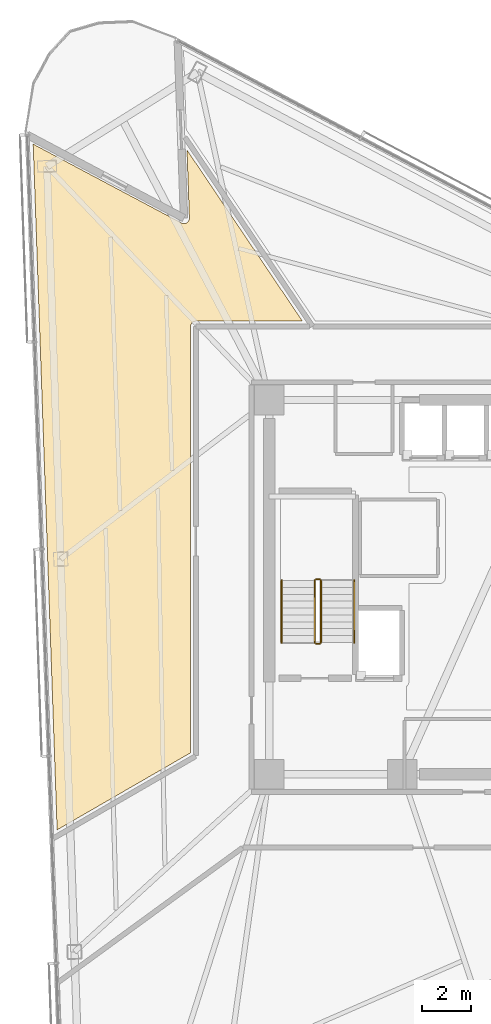
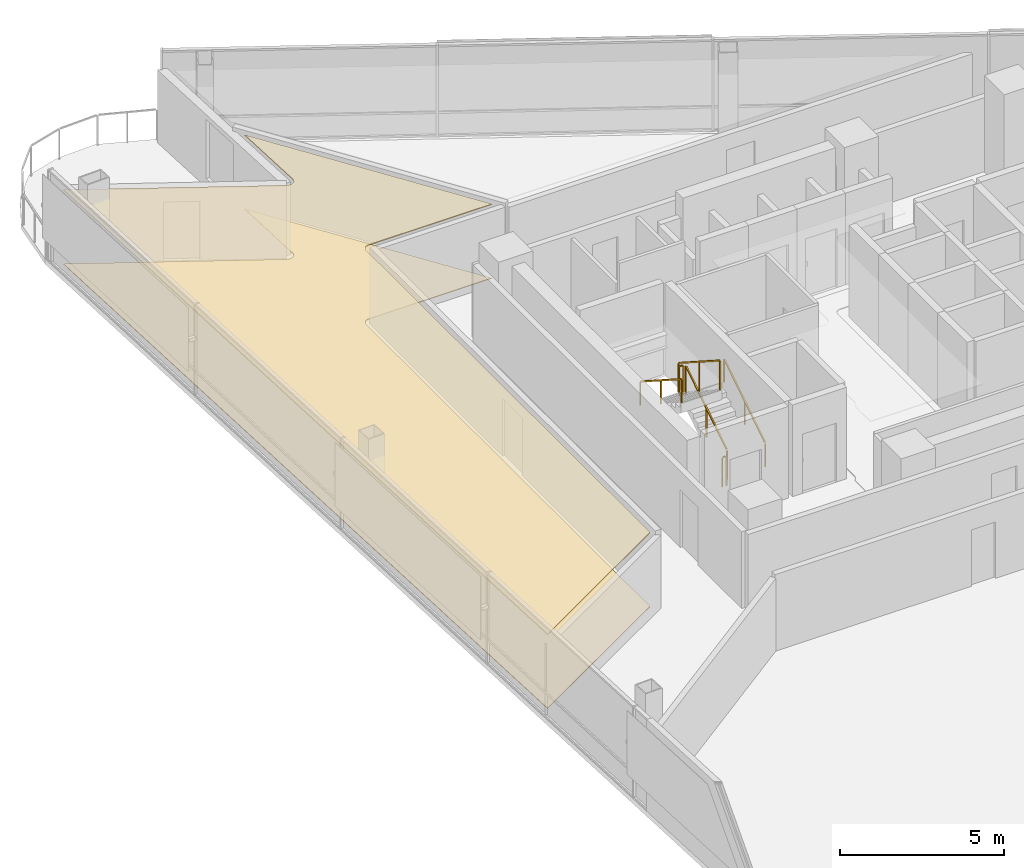
# One storey, part 16 of 18: 6 railings, 2 coverings.
"""IFC4 building model written with IfcOpenShell, lengths in metres."""

from ifc_helpers import new_model, si_unit, direction, frame, origin, origin_2d, place, context, subcontext, project, spatial, polyline, rectangle, outline, extrude, material, layer, layer_set, type_object, element, save


model = new_model("IFC4")

# Units and contexts
model_context = context("Model", 3, precision=1e-05, world=origin(), true_north=direction((0.0, 1.0)))
body_context = subcontext(model_context, "Body", "Model", "MODEL_VIEW")
ifc_project = project(units=[si_unit("LENGTHUNIT", "METRE"), si_unit("AREAUNIT", "SQUARE_METRE"), si_unit("VOLUMEUNIT", "CUBIC_METRE"), si_unit("PLANEANGLEUNIT", "RADIAN"), si_unit("MASSUNIT", "GRAM", prefix="KILO")], contexts=[model_context])

# Site, building, storey
site_placement = place(None, origin())
site = spatial("IfcSite", under=ifc_project, at=site_placement, CompositionType="ELEMENT")
building_placement = place(site_placement, origin())
building = spatial("IfcBuilding", under=site, at=building_placement, Name="Tharavind Bronze Gate", CompositionType="ELEMENT")
storey_placement = place(building_placement, frame((0.0, 0.0, 153.199951171875)))
storey = spatial("IfcBuildingStorey", under=building, at=storey_placement, Name="L39", CompositionType="ELEMENT", Elevation=153.199951171875)

# Coverings
ifc_material_1 = material(Name="Perforated Bronze Acoustic Panel", Category="bronze")
ifc_layer_1 = layer(ifc_material_1, 0.044921875)
ifc_layer_set_1 = layer_set([ifc_layer_1], Name="Perforated Bronze Acoustic Panel")
covering_type_1 = type_object("IfcCoveringType", Name="ACOUSTIC BRONZE BAFFLE CEILING", PredefinedType="CEILING", material=ifc_layer_set_1)
covering_1_placement = place(storey_placement, frame((0.0, 0.0, 2.75)))
element("IfcCovering", 1, at=covering_1_placement, inside=storey, type_object=covering_type_1, Name="L39-RM-02 suspended ceiling", PredefinedType="CEILING", context=body_context, shape_type="SweptSolid", body=[
    extrude(outline(polyline([(-17.51416015625, -9.857666015625), (-12.10009765625, -6.73193359375), (-12.10009765625, 10.579345703125), (-12.099609375, 10.590087890625), (-12.099609375, 10.5908203125), (-12.09765625, 10.6123046875), (-12.093505859375, 10.63330078125), (-12.087158203125, 10.654052734375), (-12.078857421875, 10.674072265625), (-12.068603515625, 10.693115234375), (-12.056640625, 10.7109375), (-12.04296875, 10.727783203125), (-12.027587890625, 10.742919921875), (-12.010986328125, 10.756591796875), (-11.9931640625, 10.768798828125), (-11.97412109375, 10.77880859375), (-11.9541015625, 10.787109375), (-11.933349609375, 10.79345703125), (-11.912353515625, 10.797607421875), (-11.890869140625, 10.7998046875), (-11.89013671875, 10.7998046875), (-11.87939453125, 10.800048828125), (-7.550048828125, 10.800048828125), (-12.239013671875, 17.751708984375), (-12.142822265625, 14.99267578125), (-12.142578125, 14.981689453125), (-12.142578125, 14.981201171875), (-12.14404296875, 14.959228515625), (-12.147705078125, 14.9375), (-12.1533203125, 14.91650390625), (-12.1611328125, 14.89599609375), (-12.1708984375, 14.876220703125), (-12.1826171875, 14.857666015625), (-12.1962890625, 14.84033203125), (-12.21142578125, 14.82470703125), (-12.22802734375, 14.810302734375), (-12.24609375, 14.7978515625), (-12.26513671875, 14.787109375), (-12.285400390625, 14.7783203125), (-12.30615234375, 14.771728515625), (-12.32763671875, 14.76708984375), (-12.349609375, 14.7646484375), (-12.371337890625, 14.764404296875), (-12.393310546875, 14.7666015625), (-12.414794921875, 14.7705078125), (-12.435791015625, 14.77685546875), (-12.4560546875, 14.78515625), (-12.45654296875, 14.785400390625), (-12.46630859375, 14.790283203125), (-18.486572265625, 17.991455078125), (-17.51416015625, -9.857666015625)])), origin(), (0.0, 0.0, 1.0), 0.03515625),
])
ifc_material_2 = material(Name="Engineered Oak & Carpet Tile", Category="wood")
ifc_layer_2 = layer(ifc_material_2, 0.02490234375)
ifc_layer_set_2 = layer_set([ifc_layer_2], Name="Engineered Oak & Carpet Tile")
covering_type_2 = type_object("IfcCoveringType", Name="ENGINEERED TIMBER FLOORING", PredefinedType="FLOORING", material=ifc_layer_set_2)
covering_2_placement = place(storey_placement, origin())
element("IfcCovering", 2, at=covering_2_placement, inside=storey, type_object=covering_type_2, Name="L39-RM-02 floor finish", PredefinedType="FLOORING", context=body_context, shape_type="SweptSolid", body=[
    extrude(outline(polyline([(-17.51416015625, -9.857666015625), (-12.10009765625, -6.73193359375), (-12.10009765625, 10.579345703125), (-12.099609375, 10.590087890625), (-12.099609375, 10.5908203125), (-12.09765625, 10.6123046875), (-12.093505859375, 10.63330078125), (-12.087158203125, 10.654052734375), (-12.078857421875, 10.674072265625), (-12.068603515625, 10.693115234375), (-12.056640625, 10.7109375), (-12.04296875, 10.727783203125), (-12.027587890625, 10.742919921875), (-12.010986328125, 10.756591796875), (-11.9931640625, 10.768798828125), (-11.97412109375, 10.77880859375), (-11.9541015625, 10.787109375), (-11.933349609375, 10.79345703125), (-11.912353515625, 10.797607421875), (-11.890869140625, 10.7998046875), (-11.89013671875, 10.7998046875), (-11.87939453125, 10.800048828125), (-7.550048828125, 10.800048828125), (-12.239013671875, 17.751708984375), (-12.142822265625, 14.99267578125), (-12.142578125, 14.981689453125), (-12.142578125, 14.981201171875), (-12.14404296875, 14.959228515625), (-12.147705078125, 14.9375), (-12.1533203125, 14.91650390625), (-12.1611328125, 14.89599609375), (-12.1708984375, 14.876220703125), (-12.1826171875, 14.857666015625), (-12.1962890625, 14.84033203125), (-12.21142578125, 14.82470703125), (-12.22802734375, 14.810302734375), (-12.24609375, 14.7978515625), (-12.26513671875, 14.787109375), (-12.285400390625, 14.7783203125), (-12.30615234375, 14.771728515625), (-12.32763671875, 14.76708984375), (-12.349609375, 14.7646484375), (-12.371337890625, 14.764404296875), (-12.393310546875, 14.7666015625), (-12.414794921875, 14.7705078125), (-12.435791015625, 14.77685546875), (-12.4560546875, 14.78515625), (-12.45654296875, 14.785400390625), (-12.46630859375, 14.790283203125), (-18.486572265625, 17.991455078125), (-17.51416015625, -9.857666015625)])), origin(), (0.0, 0.0, 1.0), 0.025146484375),
])

# Railings
ifc_material_3 = material(Name="Brushed Bronze Alloy", Category="metal")
railing_type_1 = type_object("IfcRailingType", Name="STAIR BRONZE HANDRAIL 900", PredefinedType="HANDRAIL", material=ifc_material_3)
railing_1_placement = place(storey_placement, frame((-5.449951171875, -2.25, 0.179931640625)))
element("IfcRailing", 3, at=railing_1_placement, inside=storey, type_object=railing_type_1, Name="L39 ST1 stair handrail 1", PredefinedType="HANDRAIL", context=body_context, shape_type="SweptSolid", body=[
    extrude(rectangle(XDim=0.048095703125, YDim=0.048095703125, at=origin_2d()), frame((0.0, 0.02685546875, 0.89306640625), z_axis=(0.0, 0.841162588446, 0.540782303519), x_axis=(-1.0, 0.0, 0.0)), (0.0, 0.0, 1.0), 2.931884765625),
    extrude(rectangle(XDim=0.0400390625, YDim=0.0400390625, at=origin_2d()), origin(), (0.0, 0.0, 1.0), 0.847900390625),
    extrude(rectangle(XDim=0.0400390625, YDim=0.0400390625, at=origin_2d()), frame((0.0, 1.260009765625, 0.81005859375)), (0.0, 0.0, 1.0), 0.847900390625),
    extrude(rectangle(XDim=0.0400390625, YDim=0.0400390625, at=origin_2d()), frame((0.0, 2.52001953125, 1.6201171875)), (0.0, 0.0, 1.0), 0.847900390625),
])
railing_2_placement = place(storey_placement, frame((-8.39990234375, 0.27001953125, 1.97998046875)))
element("IfcRailing", 4, at=railing_2_placement, inside=storey, type_object=railing_type_1, Name="L39 ST1 stair handrail 2", PredefinedType="HANDRAIL", context=body_context, shape_type="SweptSolid", body=[
    extrude(rectangle(XDim=0.048095703125, YDim=0.048095703125, at=origin_2d()), frame((0.0, -0.02685546875, 0.89306640625), z_axis=(0.0, -0.841162588446, 0.540782303519), x_axis=(1.0, 0.0, 0.0)), (0.0, 0.0, 1.0), 2.931884765625),
    extrude(rectangle(XDim=0.0400390625, YDim=0.0400390625, at=origin_2d()), origin(), (0.0, 0.0, 1.0), 0.847900390625),
    extrude(rectangle(XDim=0.0400390625, YDim=0.0400390625, at=origin_2d()), frame((0.0, -1.260009765625, 0.81005859375)), (0.0, 0.0, 1.0), 0.847900390625),
    extrude(rectangle(XDim=0.0400390625, YDim=0.0400390625, at=origin_2d()), frame((0.0, -2.52001953125, 1.6201171875)), (0.0, 0.0, 1.0), 0.847900390625),
])
railing_type_2 = type_object("IfcRailingType", Name="STAIR WELL GUARD RAILING 1120", PredefinedType="GUARDRAIL", material=ifc_material_3)
railing_3_placement = place(storey_placement, frame((-6.800048828125, -2.25, 0.179931640625)))
element("IfcRailing", 5, at=railing_3_placement, inside=storey, type_object=railing_type_2, Name="L39 ST1 stair guard 1", PredefinedType="GUARDRAIL", context=body_context, shape_type="SweptSolid", body=[
    extrude(rectangle(XDim=0.048095703125, YDim=0.048095703125, at=origin_2d()), frame((0.0, 0.02685546875, 1.11328125), z_axis=(0.0, 0.841162588446, 0.540782303519), x_axis=(-1.0, 0.0, 0.0)), (0.0, 0.0, 1.0), 2.931884765625),
    extrude(rectangle(XDim=0.0400390625, YDim=0.0400390625, at=origin_2d()), origin(), (0.0, 0.0, 1.0), 1.068115234375),
    extrude(rectangle(XDim=0.0400390625, YDim=0.0400390625, at=origin_2d()), frame((0.0, 1.260009765625, 0.81005859375)), (0.0, 0.0, 1.0), 1.068115234375),
    extrude(rectangle(XDim=0.0400390625, YDim=0.0400390625, at=origin_2d()), frame((0.0, 2.52001953125, 1.6201171875)), (0.0, 0.0, 1.0), 1.068115234375),
])
railing_4_placement = place(storey_placement, frame((-6.85009765625, 0.320068359375, 1.800048828125)))
element("IfcRailing", 6, at=railing_4_placement, inside=storey, type_object=railing_type_2, Name="L39 ST1 stair guard 2", PredefinedType="GUARDRAIL", context=body_context, shape_type="SweptSolid", body=[
    extrude(rectangle(XDim=0.048095703125, YDim=0.048095703125, at=origin_2d()), frame((-0.031982421875, 0.0, 1.09619140625), z_axis=(-1.0, 0.0, 0.0), x_axis=(0.0, -1.0, 0.0)), (0.0, 0.0, 1.0), 0.0859375),
    extrude(rectangle(XDim=0.0400390625, YDim=0.0400390625, at=origin_2d()), origin(), (0.0, 0.0, 1.0), 1.068115234375),
    extrude(rectangle(XDim=0.0400390625, YDim=0.0400390625, at=origin_2d()), frame((-0.14990234375, 0.0, 0.0)), (0.0, 0.0, 1.0), 1.068115234375),
])
railing_5_placement = place(storey_placement, frame((-7.050048828125, 0.27001953125, 1.97998046875)))
element("IfcRailing", 7, at=railing_5_placement, inside=storey, type_object=railing_type_2, Name="L39 ST1 stair guard 3", PredefinedType="GUARDRAIL", context=body_context, shape_type="SweptSolid", body=[
    extrude(rectangle(XDim=0.048095703125, YDim=0.048095703125, at=origin_2d()), frame((0.0, -0.02685546875, 1.11328125), z_axis=(0.0, -0.841162588446, 0.540782303519), x_axis=(1.0, 0.0, 0.0)), (0.0, 0.0, 1.0), 2.931884765625),
    extrude(rectangle(XDim=0.0400390625, YDim=0.0400390625, at=origin_2d()), origin(), (0.0, 0.0, 1.0), 1.068115234375),
    extrude(rectangle(XDim=0.0400390625, YDim=0.0400390625, at=origin_2d()), frame((0.0, -1.260009765625, 0.81005859375)), (0.0, 0.0, 1.0), 1.068115234375),
    extrude(rectangle(XDim=0.0400390625, YDim=0.0400390625, at=origin_2d()), frame((0.0, -2.52001953125, 1.6201171875)), (0.0, 0.0, 1.0), 1.068115234375),
])
railing_6_placement = place(storey_placement, frame((-6.85009765625, -2.300048828125, 0.0)))
element("IfcRailing", 8, at=railing_6_placement, inside=storey, type_object=railing_type_2, Name="L39 ST1 stair guard 4", PredefinedType="GUARDRAIL", context=body_context, shape_type="SweptSolid", body=[
    extrude(rectangle(XDim=0.048095703125, YDim=0.048095703125, at=origin_2d()), frame((-0.031982421875, 0.0, 1.09619140625), z_axis=(-1.0, 0.0, 0.0), x_axis=(0.0, -1.0, 0.0)), (0.0, 0.0, 1.0), 0.0859375),
    extrude(rectangle(XDim=0.0400390625, YDim=0.0400390625, at=origin_2d()), origin(), (0.0, 0.0, 1.0), 1.068115234375),
    extrude(rectangle(XDim=0.0400390625, YDim=0.0400390625, at=origin_2d()), frame((-0.14990234375, 0.0, 0.0)), (0.0, 0.0, 1.0), 1.068115234375),
])

save(model, "model.ifc")
